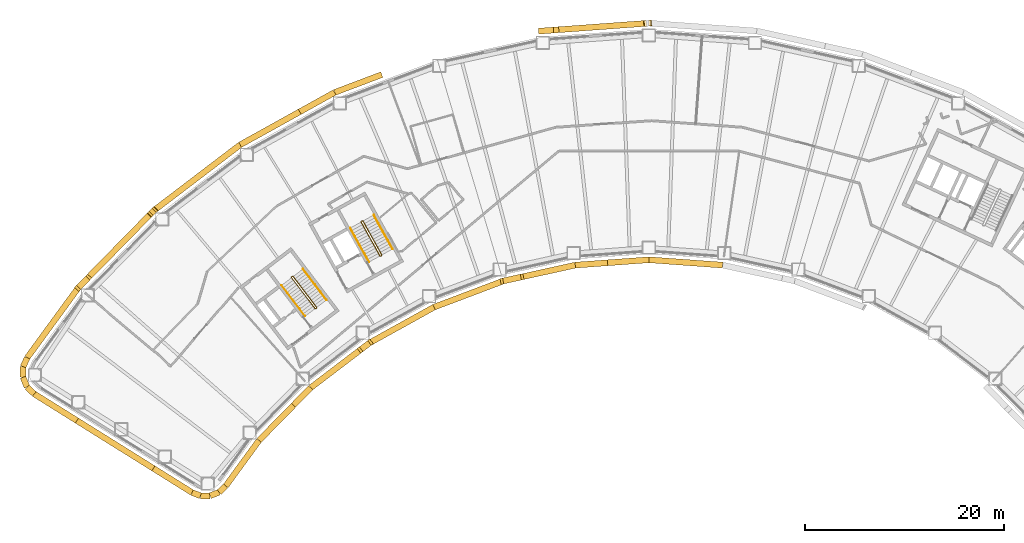
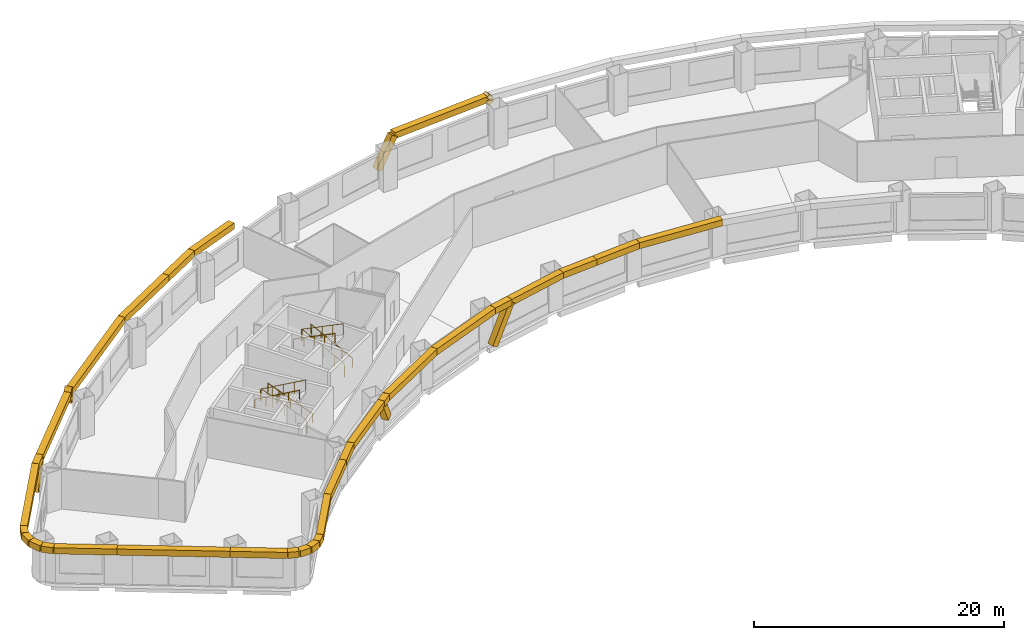
# One storey, part 10 of 11: 40 coverings, 6 railings.
"""IFC4 building model written with IfcOpenShell, lengths in metres."""

from ifc_helpers import new_model, si_unit, direction, frame, origin, origin_2d, place, context, subcontext, project, spatial, rectangle, circle, extrude, material, material_profile, profile_set, type_object, element, save


model = new_model("IFC4")

# Units and contexts
model_context = context("Model", 3, precision=1e-05, world=origin(), true_north=direction((0.0, 1.0)))
body_context = subcontext(model_context, "Body", "Model", "MODEL_VIEW")
ifc_project = project(units=[si_unit("LENGTHUNIT", "METRE"), si_unit("AREAUNIT", "SQUARE_METRE"), si_unit("VOLUMEUNIT", "CUBIC_METRE"), si_unit("PLANEANGLEUNIT", "RADIAN"), si_unit("MASSUNIT", "GRAM", prefix="KILO")], contexts=[model_context])

# Site, building, storey
site_placement = place(None, origin())
site = spatial("IfcSite", under=ifc_project, at=site_placement, CompositionType="ELEMENT")
building_placement = place(site_placement, origin())
building = spatial("IfcBuilding", under=site, at=building_placement, Name="Tuul Gate Civic Tower", CompositionType="ELEMENT")
storey_placement = place(building_placement, frame((0.0, 0.0, 52.5)))
storey = spatial("IfcBuildingStorey", under=building, at=storey_placement, Name="Level 11", CompositionType="ELEMENT", Elevation=52.5)

# Railings
ifc_material_1 = material(Name="Painted steel", Category="steel")
railing_type_1 = type_object("IfcRailingType", Name="Stair guard", PredefinedType="GUARDRAIL", material=ifc_material_1)
railing_1_placement = place(storey_placement, frame((-33.382080078125, -13.515380859375, 0.0)))
element("IfcRailing", 1, at=railing_1_placement, inside=storey, type_object=railing_type_1, Name="Level 11 ST-1 stair guard 1", PredefinedType="GUARDRAIL", context=body_context, shape_type="SweptSolid", body=[
    extrude(circle(Radius=0.02392578125, at=origin_2d()), frame((0.0, 0.0, 1.076171875), z_axis=(-0.795879841968, -0.605454603706, 0.0), x_axis=(0.605454603706, -0.795879841968, 0.0)), (0.0, 0.0, 1.0), 0.10009765625),
    extrude(circle(Radius=0.02392578125, at=origin_2d()), frame((-0.07958984375, -0.060546875, 1.076171875), z_axis=(0.408991890351, 0.599481263939, 0.688002796371), x_axis=(-0.826063974707, 0.563576356576, 0.0)), (0.0, 0.0, 1.0), 0.2177734375),
    extrude(circle(Radius=0.02392578125, at=origin_2d()), frame((0.009521484375, 0.070068359375, 1.22607421875), z_axis=(-0.541810893183, 0.711627203922, 0.44724454012), x_axis=(-0.795637165283, -0.60577347352, 0.0)), (0.0, 0.0, 1.0), 4.3603515625),
    extrude(circle(Radius=0.02392578125, at=origin_2d()), frame((-2.35302734375, 3.173095703125, 3.17626953125), z_axis=(-0.990893089246, 0.134650977284, 0.0), x_axis=(-0.134650977284, -0.990893089246, 0.0)), (0.0, 0.0, 1.0), 0.07080078125),
    extrude(circle(Radius=0.02392578125, at=origin_2d()), frame((-2.423095703125, 3.1826171875, 3.17626953125), z_axis=(-0.793802879778, -0.60817512943, 0.0), x_axis=(0.60817512943, -0.793802879778, 0.0)), (0.0, 0.0, 1.0), 0.099853515625),
    extrude(circle(Radius=0.02392578125, at=origin_2d()), frame((-2.50244140625, 3.121826171875, 3.17626953125), z_axis=(-0.057447065493, -0.422751481959, 0.904423031091), x_axis=(0.990893089246, -0.134650977284, 0.0)), (0.0, 0.0, 1.0), 0.165771484375),
    extrude(circle(Radius=0.02392578125, at=origin_2d()), frame((-2.511962890625, 3.0517578125, 3.326171875), z_axis=(0.541806494602, -0.71163897684, 0.447231136047), x_axis=(0.795644365679, 0.605764016233, 0.0)), (0.0, 0.0, 1.0), 4.360107421875),
    extrude(circle(Radius=0.02099609375, at=origin_2d()), origin(), (0.0, 0.0, 1.0), 1.052001953125),
    extrude(circle(Radius=0.02099609375, at=origin_2d()), frame((-0.07958984375, -0.060546875, 0.0)), (0.0, 0.0, 1.0), 1.052001953125),
    extrude(circle(Radius=0.02099609375, at=origin_2d()), frame((0.009521484375, 0.070068359375, 0.14990234375)), (0.0, 0.0, 1.0), 1.052001953125),
    extrude(circle(Radius=0.02099609375, at=origin_2d()), frame((-0.5810546875, 0.845703125, 0.637451171875)), (0.0, 0.0, 1.0), 1.052001953125),
    extrude(circle(Radius=0.02099609375, at=origin_2d()), frame((-1.171875, 1.62158203125, 1.125)), (0.0, 0.0, 1.0), 1.052001953125),
    extrude(circle(Radius=0.02099609375, at=origin_2d()), frame((-1.762451171875, 2.3974609375, 1.612548828125)), (0.0, 0.0, 1.0), 1.052001953125),
    extrude(circle(Radius=0.02099609375, at=origin_2d()), frame((-2.35302734375, 3.173095703125, 2.10009765625)), (0.0, 0.0, 1.0), 1.052001953125),
    extrude(circle(Radius=0.02099609375, at=origin_2d()), frame((-2.423095703125, 3.1826171875, 2.10009765625)), (0.0, 0.0, 1.0), 1.052001953125),
    extrude(circle(Radius=0.02099609375, at=origin_2d()), frame((-2.50244140625, 3.121826171875, 2.10009765625)), (0.0, 0.0, 1.0), 1.052001953125),
    extrude(circle(Radius=0.02099609375, at=origin_2d()), frame((-2.511962890625, 3.0517578125, 2.25)), (0.0, 0.0, 1.0), 1.052001953125),
    extrude(circle(Radius=0.02099609375, at=origin_2d()), frame((-1.92138671875, 2.276123046875, 2.737548828125)), (0.0, 0.0, 1.0), 1.052001953125),
    extrude(circle(Radius=0.02099609375, at=origin_2d()), frame((-1.330810546875, 1.50048828125, 3.22509765625)), (0.0, 0.0, 1.0), 1.052001953125),
    extrude(circle(Radius=0.02099609375, at=origin_2d()), frame((-0.740234375, 0.724609375, 3.71240234375)), (0.0, 0.0, 1.0), 1.052001953125),
    extrude(circle(Radius=0.02099609375, at=origin_2d()), frame((-0.149658203125, -0.051025390625, 4.199951171875)), (0.0, 0.0, 1.0), 1.052001953125),
])
railing_2_placement = place(storey_placement, frame((-26.857666015625, -8.247314453125, 0.0)))
element("IfcRailing", 2, at=railing_2_placement, inside=storey, type_object=railing_type_1, Name="Level 11 ST-2 stair guard 1", PredefinedType="GUARDRAIL", context=body_context, shape_type="SweptSolid", body=[
    extrude(circle(Radius=0.02392578125, at=origin_2d()), frame((0.0, 0.0, 1.076171875), z_axis=(-0.874616555828, -0.48481530532, 0.0), x_axis=(0.48481530532, -0.874616555828, 0.0)), (0.0, 0.0, 1.0), 0.10009765625),
    extrude(circle(Radius=0.02392578125, at=origin_2d()), frame((-0.087646484375, -0.048583984375, 1.076171875), z_axis=(0.49081399482, 0.534516610797, 0.688036056665), x_axis=(-0.736576986774, 0.676353711126, 0.0)), (0.0, 0.0, 1.0), 0.2177734375),
    extrude(circle(Radius=0.02392578125, at=origin_2d()), frame((0.019287109375, 0.06787109375, 1.22607421875), z_axis=(-0.433539057192, 0.782307594871, 0.447256875739), x_axis=(-0.874667644053, -0.484723129681, 0.0)), (0.0, 0.0, 1.0), 4.3603515625),
    extrude(circle(Radius=0.02392578125, at=origin_2d()), frame((-1.87109375, 3.47900390625, 3.17626953125), z_axis=(-0.961263487578, 0.275631107549, 0.0), x_axis=(-0.275631107549, -0.961263487578, 0.0)), (0.0, 0.0, 1.0), 0.07080078125),
    extrude(circle(Radius=0.02392578125, at=origin_2d()), frame((-1.939208984375, 3.49853515625, 3.17626953125), z_axis=(-0.874042088414, -0.485850211157, 0.0), x_axis=(0.485850211157, -0.874042088414, 0.0)), (0.0, 0.0, 1.0), 0.10009765625),
    extrude(circle(Radius=0.02392578125, at=origin_2d()), frame((-2.026611328125, 3.449951171875, 3.17626953125), z_axis=(-0.117866478395, -0.409586012422, 0.90462522168), x_axis=(0.961000426733, -0.276546885391, 0.0)), (0.0, 0.0, 1.0), 0.165771484375),
    extrude(circle(Radius=0.02392578125, at=origin_2d()), frame((-2.046142578125, 3.382080078125, 3.326171875), z_axis=(0.433595379963, -0.782308193291, 0.447201226726), x_axis=(0.874641102302, 0.484771020343, 0.0)), (0.0, 0.0, 1.0), 4.3603515625),
    extrude(circle(Radius=0.02099609375, at=origin_2d()), origin(), (0.0, 0.0, 1.0), 1.052001953125),
    extrude(circle(Radius=0.02099609375, at=origin_2d()), frame((-0.087646484375, -0.048583984375, 0.0)), (0.0, 0.0, 1.0), 1.052001953125),
    extrude(circle(Radius=0.02099609375, at=origin_2d()), frame((0.019287109375, 0.06787109375, 0.14990234375)), (0.0, 0.0, 1.0), 1.052001953125),
    extrude(circle(Radius=0.02099609375, at=origin_2d()), frame((-0.453369140625, 0.920654296875, 0.637451171875)), (0.0, 0.0, 1.0), 1.052001953125),
    extrude(circle(Radius=0.02099609375, at=origin_2d()), frame((-0.92578125, 1.7734375, 1.125)), (0.0, 0.0, 1.0), 1.052001953125),
    extrude(circle(Radius=0.02099609375, at=origin_2d()), frame((-1.3984375, 2.626220703125, 1.612548828125)), (0.0, 0.0, 1.0), 1.052001953125),
    extrude(circle(Radius=0.02099609375, at=origin_2d()), frame((-1.87109375, 3.47900390625, 2.10009765625)), (0.0, 0.0, 1.0), 1.052001953125),
    extrude(circle(Radius=0.02099609375, at=origin_2d()), frame((-1.939208984375, 3.49853515625, 2.10009765625)), (0.0, 0.0, 1.0), 1.052001953125),
    extrude(circle(Radius=0.02099609375, at=origin_2d()), frame((-2.026611328125, 3.449951171875, 2.10009765625)), (0.0, 0.0, 1.0), 1.052001953125),
    extrude(circle(Radius=0.02099609375, at=origin_2d()), frame((-2.046142578125, 3.382080078125, 2.25)), (0.0, 0.0, 1.0), 1.052001953125),
    extrude(circle(Radius=0.02099609375, at=origin_2d()), frame((-1.573486328125, 2.529296875, 2.737548828125)), (0.0, 0.0, 1.0), 1.052001953125),
    extrude(circle(Radius=0.02099609375, at=origin_2d()), frame((-1.100830078125, 1.676513671875, 3.22509765625)), (0.0, 0.0, 1.0), 1.052001953125),
    extrude(circle(Radius=0.02099609375, at=origin_2d()), frame((-0.628173828125, 0.82373046875, 3.71240234375)), (0.0, 0.0, 1.0), 1.052001953125),
    extrude(circle(Radius=0.02099609375, at=origin_2d()), frame((-0.155517578125, -0.029052734375, 4.199951171875)), (0.0, 0.0, 1.0), 1.052001953125),
])
ifc_material_2 = material(Name="Painted steel", Category="steel")
railing_type_2 = type_object("IfcRailingType", Name="Stair handrail", PredefinedType="HANDRAIL", material=ifc_material_2)
railing_3_placement = place(storey_placement, frame((-32.3779296875, -12.688232421875, 0.14990234375)))
element("IfcRailing", 3, at=railing_3_placement, inside=storey, type_object=railing_type_2, Name="Level 11 ST-1 stair handrail 1", PredefinedType="HANDRAIL", context=body_context, shape_type="SweptSolid", body=[
    extrude(circle(Radius=0.02392578125, at=origin_2d()), frame((0.0, 0.0, 0.8759765625), z_axis=(-0.541810893183, 0.711627203922, 0.44724454012), x_axis=(-0.795637165283, -0.60577347352, 0.0)), (0.0, 0.0, 1.0), 4.3603515625),
    extrude(circle(Radius=0.02099609375, at=origin_2d()), origin(), (0.0, 0.0, 1.0), 0.851806640625),
    extrude(circle(Radius=0.02099609375, at=origin_2d()), frame((-0.590576171875, 0.77587890625, 0.487548828125)), (0.0, 0.0, 1.0), 0.851806640625),
    extrude(circle(Radius=0.02099609375, at=origin_2d()), frame((-1.18115234375, 1.551513671875, 0.97509765625)), (0.0, 0.0, 1.0), 0.851806640625),
    extrude(circle(Radius=0.02099609375, at=origin_2d()), frame((-1.77197265625, 2.3271484375, 1.462646484375)), (0.0, 0.0, 1.0), 0.851806640625),
    extrude(circle(Radius=0.02099609375, at=origin_2d()), frame((-2.362548828125, 3.10302734375, 1.9501953125)), (0.0, 0.0, 1.0), 0.851806640625),
])
railing_4_placement = place(storey_placement, frame((-36.888671875, -11.220703125, 2.25)))
element("IfcRailing", 4, at=railing_4_placement, inside=storey, type_object=railing_type_2, Name="Level 11 ST-1 stair handrail 2", PredefinedType="HANDRAIL", context=body_context, shape_type="SweptSolid", body=[
    extrude(circle(Radius=0.02392578125, at=origin_2d()), frame((0.0, 0.0, 0.8759765625), z_axis=(0.541824460341, -0.711645023348, 0.447199748346), x_axis=(0.795637165283, 0.60577347352, 0.0)), (0.0, 0.0, 1.0), 4.3603515625),
    extrude(circle(Radius=0.02099609375, at=origin_2d()), origin(), (0.0, 0.0, 1.0), 0.851806640625),
    extrude(circle(Radius=0.02099609375, at=origin_2d()), frame((0.590576171875, -0.77587890625, 0.487548828125)), (0.0, 0.0, 1.0), 0.851806640625),
    extrude(circle(Radius=0.02099609375, at=origin_2d()), frame((1.18115234375, -1.551513671875, 0.97509765625)), (0.0, 0.0, 1.0), 0.851806640625),
    extrude(circle(Radius=0.02099609375, at=origin_2d()), frame((1.77197265625, -2.3271484375, 1.46240234375)), (0.0, 0.0, 1.0), 0.851806640625),
    extrude(circle(Radius=0.02099609375, at=origin_2d()), frame((2.362548828125, -3.10302734375, 1.949951171875)), (0.0, 0.0, 1.0), 0.851806640625),
])
railing_5_placement = place(storey_placement, frame((-25.744873046875, -7.573486328125, 0.14990234375)))
element("IfcRailing", 5, at=railing_5_placement, inside=storey, type_object=railing_type_2, Name="Level 11 ST-2 stair handrail 1", PredefinedType="HANDRAIL", context=body_context, shape_type="SweptSolid", body=[
    extrude(circle(Radius=0.02392578125, at=origin_2d()), frame((0.0, 0.0, 0.8759765625), z_axis=(-0.433584522764, 0.782288604346, 0.447246018574), x_axis=(-0.874641102302, -0.484771020343, 0.0)), (0.0, 0.0, 1.0), 4.3603515625),
    extrude(circle(Radius=0.02099609375, at=origin_2d()), origin(), (0.0, 0.0, 1.0), 0.851806640625),
    extrude(circle(Radius=0.02099609375, at=origin_2d()), frame((-0.47265625, 0.852783203125, 0.487548828125)), (0.0, 0.0, 1.0), 0.851806640625),
    extrude(circle(Radius=0.02099609375, at=origin_2d()), frame((-0.9453125, 1.70556640625, 0.97509765625)), (0.0, 0.0, 1.0), 0.851806640625),
    extrude(circle(Radius=0.02099609375, at=origin_2d()), frame((-1.41796875, 2.558349609375, 1.462646484375)), (0.0, 0.0, 1.0), 0.851806640625),
    extrude(circle(Radius=0.02099609375, at=origin_2d()), frame((-1.890625, 3.4111328125, 1.9501953125)), (0.0, 0.0, 1.0), 0.851806640625),
])
railing_6_placement = place(storey_placement, frame((-29.9970703125, -5.47119140625, 2.25)))
element("IfcRailing", 6, at=railing_6_placement, inside=storey, type_object=railing_type_2, Name="Level 11 ST-2 stair handrail 2", PredefinedType="HANDRAIL", context=body_context, shape_type="SweptSolid", body=[
    extrude(circle(Radius=0.02392578125, at=origin_2d()), frame((0.0, 0.0, 0.8759765625), z_axis=(0.433595379963, -0.782308193291, 0.447201226726), x_axis=(0.874641102302, 0.484771020343, 0.0)), (0.0, 0.0, 1.0), 4.3603515625),
    extrude(circle(Radius=0.02099609375, at=origin_2d()), origin(), (0.0, 0.0, 1.0), 0.851806640625),
    extrude(circle(Radius=0.02099609375, at=origin_2d()), frame((0.47265625, -0.852783203125, 0.487548828125)), (0.0, 0.0, 1.0), 0.851806640625),
    extrude(circle(Radius=0.02099609375, at=origin_2d()), frame((0.9453125, -1.70556640625, 0.97509765625)), (0.0, 0.0, 1.0), 0.851806640625),
    extrude(circle(Radius=0.02099609375, at=origin_2d()), frame((1.41796875, -2.558349609375, 1.46240234375)), (0.0, 0.0, 1.0), 0.851806640625),
    extrude(circle(Radius=0.02099609375, at=origin_2d()), frame((1.890625, -3.4111328125, 1.949951171875)), (0.0, 0.0, 1.0), 0.851806640625),
])

# Coverings
ifc_material_3 = material(Name="Terracotta baguette", Category="masonry")
ifc_material_profile = material_profile(ifc_material_3, rectangle(XDim=0.60009765625, YDim=0.60009765625, at=origin_2d()), Name="Terracotta baguette screen frame")
ifc_profile_set = profile_set([ifc_material_profile], Name="Terracotta baguette")
covering_type = type_object("IfcCoveringType", Name="Terracotta baguette screen frame", PredefinedType="CLADDING", material=ifc_profile_set)
covering_1_placement = place(storey_placement, frame((0.0, 15.10205078125, 4.099609375), z_axis=(-0.731874955369, -0.053178925004, -0.679360766927), x_axis=(0.072470160291, -0.997370581012, 0.0)))
element("IfcCovering", 7, at=covering_1_placement, inside=storey, type_object=covering_type, Name="Baguette 72", PredefinedType="CLADDING", context=body_context, shape_type="SweptSolid", body=[
    extrude(rectangle(XDim=0.60009765625, YDim=0.60009765625, at=origin_2d()), origin(), (0.0, 0.0, 1.0), 0.3671875),
])
covering_2_placement = place(storey_placement, frame((-0.268798828125, 15.08251953125, 3.85009765625), z_axis=(0.473946957273, 0.034437562745, -0.879879728124), x_axis=(-0.072470160291, 0.997370581012, 0.0)))
element("IfcCovering", 8, at=covering_2_placement, inside=storey, type_object=covering_type, Name="Baguette 76", PredefinedType="CLADDING", context=body_context, shape_type="SweptSolid", body=[
    extrude(rectangle(XDim=0.60009765625, YDim=0.60009765625, at=origin_2d()), origin(), (0.0, 0.0, 1.0), 0.567138671875),
])
covering_3_placement = place(storey_placement, frame((-0.268798828125, 15.08251953125, 3.85009765625), z_axis=(-0.997386201486, -0.072254862018, 0.0), x_axis=(0.072254862018, -0.997386201486, 0.0)))
element("IfcCovering", 9, at=covering_3_placement, inside=storey, type_object=covering_type, Name="Baguette 78", PredefinedType="CLADDING", context=body_context, shape_type="SweptSolid", body=[
    extrude(rectangle(XDim=0.60009765625, YDim=0.60009765625, at=origin_2d()), origin(), (0.0, 0.0, 1.0), 9.072265625),
])
covering_4_placement = place(storey_placement, frame((-9.3173828125, 14.427001953125, 3.85009765625), z_axis=(-0.473990641609, -0.034290320545, -0.879861946889), x_axis=(0.072155305808, -0.997393408763, 0.0)))
element("IfcCovering", 10, at=covering_4_placement, inside=storey, type_object=covering_type, Name="Baguette 83", PredefinedType="CLADDING", context=body_context, shape_type="SweptSolid", body=[
    extrude(rectangle(XDim=0.60009765625, YDim=0.60009765625, at=origin_2d()), origin(), (0.0, 0.0, 1.0), 3.175537109375),
])
covering_5_placement = place(storey_placement, frame((-26.830078125, 9.93603515625, 3.85009765625), z_axis=(-0.935377183331, -0.353651699988, 0.0), x_axis=(0.353651699988, -0.935377183331, 0.0)))
element("IfcCovering", 11, at=covering_5_placement, inside=storey, type_object=covering_type, Name="Baguette 99", PredefinedType="CLADDING", context=body_context, shape_type="SweptSolid", body=[
    extrude(rectangle(XDim=0.60009765625, YDim=0.60009765625, at=origin_2d()), origin(), (0.0, 0.0, 1.0), 5.06640625),
])
covering_6_placement = place(storey_placement, frame((-31.569091796875, 8.144287109375, 3.85009765625), z_axis=(-0.874631167379, -0.484788944851, 0.0), x_axis=(0.484788944851, -0.874631167379, 0.0)))
element("IfcCovering", 12, at=covering_6_placement, inside=storey, type_object=covering_type, Name="Baguette 100", PredefinedType="CLADDING", context=body_context, shape_type="SweptSolid", body=[
    extrude(rectangle(XDim=0.60009765625, YDim=0.60009765625, at=origin_2d()), origin(), (0.0, 0.0, 1.0), 4.006103515625),
])
covering_7_placement = place(storey_placement, frame((-49.693603515625, -3.690185546875, 4.264892578125), z_axis=(-0.51373099868, -0.524125555851, -0.679244332107), x_axis=(0.714152927454, -0.699989711502, 0.0)))
element("IfcCovering", 13, at=covering_7_placement, inside=storey, type_object=covering_type, Name="Baguette 114", PredefinedType="CLADDING", context=body_context, shape_type="SweptSolid", body=[
    extrude(rectangle(XDim=0.60009765625, YDim=0.60009765625, at=origin_2d()), origin(), (0.0, 0.0, 1.0), 0.610595703125),
])
covering_8_placement = place(storey_placement, frame((-50.00732421875, -4.01025390625, 3.85009765625), z_axis=(0.332563061246, 0.339291963653, -0.879933391624), x_axis=(-0.714152927454, 0.699989711502, 0.0)))
element("IfcCovering", 14, at=covering_8_placement, inside=storey, type_object=covering_type, Name="Baguette 118", PredefinedType="CLADDING", context=body_context, shape_type="SweptSolid", body=[
    extrude(rectangle(XDim=0.60009765625, YDim=0.60009765625, at=origin_2d()), origin(), (0.0, 0.0, 1.0), 0.943359375),
])
covering_9_placement = place(storey_placement, frame((-50.00732421875, -4.01025390625, 3.85009765625), z_axis=(-0.69999391998, -0.714148802415, 0.0), x_axis=(0.714148802415, -0.69999391998, 0.0)))
element("IfcCovering", 15, at=covering_9_placement, inside=storey, type_object=covering_type, Name="Baguette 120", PredefinedType="CLADDING", context=body_context, shape_type="SweptSolid", body=[
    extrude(rectangle(XDim=0.60009765625, YDim=0.60009765625, at=origin_2d()), origin(), (0.0, 0.0, 1.0), 9.072265625),
])
covering_10_placement = place(storey_placement, frame((-56.35791015625, -10.4892578125, 3.85009765625), z_axis=(-0.332611284769, -0.339322780819, -0.879903280856), x_axis=(0.714133971277, -0.700009050705, 0.0)))
element("IfcCovering", 16, at=covering_10_placement, inside=storey, type_object=covering_type, Name="Baguette 125", PredefinedType="CLADDING", context=body_context, shape_type="SweptSolid", body=[
    extrude(rectangle(XDim=0.60009765625, YDim=0.60009765625, at=origin_2d()), origin(), (0.0, 0.0, 1.0), 2.801025390625),
])
covering_11_placement = place(storey_placement, frame((-57.4453125, -24.811767578125, 3.85009765625), z_axis=(0.848058898511, -0.529901976461, 0.0), x_axis=(0.529901976461, 0.848058898511, 0.0)))
element("IfcCovering", 17, at=covering_11_placement, inside=storey, type_object=covering_type, Name="Baguette 152", PredefinedType="CLADDING", context=body_context, shape_type="SweptSolid", body=[
    extrude(rectangle(XDim=0.60009765625, YDim=0.60009765625, at=origin_2d()), origin(), (0.0, 0.0, 1.0), 9.05322265625),
])
covering_12_placement = place(storey_placement, frame((-35.70751953125, -23.27880859375, 3.85009765625), z_axis=(0.70003698075, 0.714106592591, 0.0), x_axis=(-0.714106592591, 0.70003698075, 0.0)))
element("IfcCovering", 18, at=covering_12_placement, inside=storey, type_object=covering_type, Name="Baguette 184", PredefinedType="CLADDING", context=body_context, shape_type="SweptSolid", body=[
    extrude(rectangle(XDim=0.60009765625, YDim=0.60009765625, at=origin_2d()), origin(), (0.0, 0.0, 1.0), 2.4814453125),
])
covering_13_placement = place(storey_placement, frame((-33.970458984375, -21.5068359375, 3.85009765625), z_axis=(0.795582127789, 0.60584575425, 0.0), x_axis=(-0.60584575425, 0.795582127789, 0.0)))
element("IfcCovering", 19, at=covering_13_placement, inside=storey, type_object=covering_type, Name="Baguette 185", PredefinedType="CLADDING", context=body_context, shape_type="SweptSolid", body=[
    extrude(rectangle(XDim=0.60009765625, YDim=0.60009765625, at=origin_2d()), origin(), (0.0, 0.0, 1.0), 6.37060546875),
])
covering_14_placement = place(storey_placement, frame((-28.902099609375, -17.647216796875, 3.85009765625), z_axis=(0.37085661759, 0.282407368625, -0.884709809675), x_axis=(-0.605839521282, 0.795586874234, 0.0)))
element("IfcCovering", 20, at=covering_14_placement, inside=storey, type_object=covering_type, Name="Baguette 190", PredefinedType="CLADDING", context=body_context, shape_type="SweptSolid", body=[
    extrude(rectangle(XDim=0.60009765625, YDim=0.60009765625, at=origin_2d()), origin(), (0.0, 0.0, 1.0), 2.246826171875),
])
covering_15_placement = place(storey_placement, frame((-12.864501953125, -10.40087890625, 3.85009765625), z_axis=(-0.455228552441, -0.100321546982, -0.884704782542), x_axis=(0.215212210255, -0.976567306721, 0.0)))
element("IfcCovering", 21, at=covering_15_placement, inside=storey, type_object=covering_type, Name="Baguette 208", PredefinedType="CLADDING", context=body_context, shape_type="SweptSolid", body=[
    extrude(rectangle(XDim=0.60009765625, YDim=0.60009765625, at=origin_2d()), origin(), (0.0, 0.0, 1.0), 3.906005859375),
])
covering_16_placement = place(storey_placement, frame((-12.864501953125, -10.40087890625, 3.85009765625), z_axis=(0.976556146559, 0.21526284542, 0.0), x_axis=(-0.21526284542, 0.976556146559, 0.0)))
element("IfcCovering", 22, at=covering_16_placement, inside=storey, type_object=covering_type, Name="Baguette 210", PredefinedType="CLADDING", context=body_context, shape_type="SweptSolid", body=[
    extrude(rectangle(XDim=0.60009765625, YDim=0.60009765625, at=origin_2d()), origin(), (0.0, 0.0, 1.0), 5.596923828125),
])
covering_17_placement = place(storey_placement, frame((-7.398681640625, -9.196044921875, 3.85009765625), z_axis=(0.997393564609, 0.072153151538, 0.0), x_axis=(-0.072153151538, 0.997393564609, 0.0)))
element("IfcCovering", 23, at=covering_17_placement, inside=storey, type_object=covering_type, Name="Baguette 211", PredefinedType="CLADDING", context=body_context, shape_type="SweptSolid", body=[
    extrude(rectangle(XDim=0.60009765625, YDim=0.60009765625, at=origin_2d()), origin(), (0.0, 0.0, 1.0), 3.255126953125),
])
covering_18_placement = place(storey_placement, frame((-35.072998046875, 6.2021484375, 3.85009765625), z_axis=(-0.874624559601, -0.484800866071, 0.0), x_axis=(0.484800866071, -0.874624559601, 0.0)))
element("IfcCovering", 24, at=covering_18_placement, inside=storey, type_object=covering_type, Name="Baguette 308", PredefinedType="CLADDING", context=body_context, shape_type="SweptSolid", body=[
    extrude(rectangle(XDim=0.60009765625, YDim=0.60009765625, at=origin_2d()), origin(), (0.0, 0.0, 1.0), 6.84521484375),
])
covering_19_placement = place(storey_placement, frame((-41.06005859375, 2.883544921875, 3.85009765625), z_axis=(-0.795618643442, -0.605797799771, 0.0), x_axis=(0.605797799771, -0.795618643442, 0.0)))
element("IfcCovering", 25, at=covering_19_placement, inside=storey, type_object=covering_type, Name="Baguette 309", PredefinedType="CLADDING", context=body_context, shape_type="SweptSolid", body=[
    extrude(rectangle(XDim=0.60009765625, YDim=0.60009765625, at=origin_2d()), origin(), (0.0, 0.0, 1.0), 10.851318359375),
])
covering_20_placement = place(storey_placement, frame((-49.693603515625, -3.690185546875, 3.85009765625), z_axis=(-0.699989711502, -0.714152927454, 0.0), x_axis=(0.714152927454, -0.699989711502, 0.0)))
element("IfcCovering", 26, at=covering_20_placement, inside=storey, type_object=covering_type, Name="Baguette 310", PredefinedType="CLADDING", context=body_context, shape_type="SweptSolid", body=[
    extrude(rectangle(XDim=0.60009765625, YDim=0.60009765625, at=origin_2d()), origin(), (0.0, 0.0, 1.0), 0.4482421875),
])
covering_21_placement = place(storey_placement, frame((-56.35791015625, -10.4892578125, 3.85009765625), z_axis=(-0.700009050705, -0.714133971277, 0.0), x_axis=(0.714133971277, -0.700009050705, 0.0)))
element("IfcCovering", 27, at=covering_21_placement, inside=storey, type_object=covering_type, Name="Baguette 321", PredefinedType="CLADDING", context=body_context, shape_type="SweptSolid", body=[
    extrude(rectangle(XDim=0.60009765625, YDim=0.60009765625, at=origin_2d()), origin(), (0.0, 0.0, 1.0), 1.330810546875),
])
covering_22_placement = place(storey_placement, frame((-57.28955078125, -11.439697265625, 3.85009765625), z_axis=(-0.589817537275, -0.80753654575, 0.0), x_axis=(0.80753654575, -0.589817537275, 0.0)))
element("IfcCovering", 28, at=covering_22_placement, inside=storey, type_object=covering_type, Name="Baguette 322", PredefinedType="CLADDING", context=body_context, shape_type="SweptSolid", body=[
    extrude(rectangle(XDim=0.60009765625, YDim=0.60009765625, at=origin_2d()), origin(), (0.0, 0.0, 1.0), 8.734130859375),
])
covering_23_placement = place(storey_placement, frame((-62.441162109375, -18.492919921875, 3.85009765625), z_axis=(-0.412928742672, -0.910763335601, 0.0), x_axis=(0.910763335601, -0.412928742672, 0.0)))
element("IfcCovering", 29, at=covering_23_placement, inside=storey, type_object=covering_type, Name="Baguette 323", PredefinedType="CLADDING", context=body_context, shape_type="SweptSolid", body=[
    extrude(rectangle(XDim=0.60009765625, YDim=0.60009765625, at=origin_2d()), origin(), (0.0, 0.0, 1.0), 0.9892578125),
])
covering_24_placement = place(storey_placement, frame((-62.849609375, -19.393798828125, 3.85009765625), z_axis=(-0.014650442147, -0.999892676513, 0.0), x_axis=(0.999892676513, -0.014650442147, 0.0)))
element("IfcCovering", 30, at=covering_24_placement, inside=storey, type_object=covering_type, Name="Baguette 324", PredefinedType="CLADDING", context=body_context, shape_type="SweptSolid", body=[
    extrude(rectangle(XDim=0.60009765625, YDim=0.60009765625, at=origin_2d()), origin(), (0.0, 0.0, 1.0), 1.06640625),
])
covering_25_placement = place(storey_placement, frame((-62.865234375, -20.460205078125, 3.85009765625), z_axis=(0.385784883999, -0.922588761734, 0.0), x_axis=(0.922588761734, 0.385784883999, 0.0)))
element("IfcCovering", 31, at=covering_25_placement, inside=storey, type_object=covering_type, Name="Baguette 325", PredefinedType="CLADDING", context=body_context, shape_type="SweptSolid", body=[
    extrude(rectangle(XDim=0.60009765625, YDim=0.60009765625, at=origin_2d()), origin(), (0.0, 0.0, 1.0), 1.06689453125),
])
covering_26_placement = place(storey_placement, frame((-62.45361328125, -21.444580078125, 3.85009765625), z_axis=(0.722137314744, -0.691749737011, 0.0), x_axis=(0.691749737011, 0.722137314744, 0.0)))
element("IfcCovering", 32, at=covering_26_placement, inside=storey, type_object=covering_type, Name="Baguette 326", PredefinedType="CLADDING", context=body_context, shape_type="SweptSolid", body=[
    extrude(rectangle(XDim=0.60009765625, YDim=0.60009765625, at=origin_2d()), origin(), (0.0, 0.0, 1.0), 0.98828125),
])
covering_27_placement = place(storey_placement, frame((-61.739990234375, -22.128173828125, 3.85009765625), z_axis=(0.848049759371, -0.529916602524, 0.0), x_axis=(0.529916602524, 0.848049759371, 0.0)))
element("IfcCovering", 33, at=covering_27_placement, inside=storey, type_object=covering_type, Name="Baguette 327", PredefinedType="CLADDING", context=body_context, shape_type="SweptSolid", body=[
    extrude(rectangle(XDim=0.60009765625, YDim=0.60009765625, at=origin_2d()), origin(), (0.0, 0.0, 1.0), 5.064208984375),
])
covering_28_placement = place(storey_placement, frame((-49.767578125, -29.609130859375, 3.85009765625), z_axis=(0.848046231168, -0.529922248827, 0.0), x_axis=(0.529922248827, 0.848046231168, 0.0)))
element("IfcCovering", 34, at=covering_28_placement, inside=storey, type_object=covering_type, Name="Baguette 336", PredefinedType="CLADDING", context=body_context, shape_type="SweptSolid", body=[
    extrude(rectangle(XDim=0.60009765625, YDim=0.60009765625, at=origin_2d()), origin(), (0.0, 0.0, 1.0), 4.57861328125),
])
covering_29_placement = place(storey_placement, frame((-45.884765625, -32.035400390625, 3.85009765625), z_axis=(0.93189278144, -0.362733847194, 0.0), x_axis=(0.362733847194, 0.93189278144, 0.0)))
element("IfcCovering", 35, at=covering_29_placement, inside=storey, type_object=covering_type, Name="Baguette 337", PredefinedType="CLADDING", context=body_context, shape_type="SweptSolid", body=[
    extrude(rectangle(XDim=0.60009765625, YDim=0.60009765625, at=origin_2d()), origin(), (0.0, 0.0, 1.0), 0.901123046875),
])
covering_30_placement = place(storey_placement, frame((-45.044921875, -32.3623046875, 3.85009765625), z_axis=(0.999996192163, 0.002759648297, 0.0), x_axis=(-0.002759648297, 0.999996192163, 0.0)))
element("IfcCovering", 36, at=covering_30_placement, inside=storey, type_object=covering_type, Name="Baguette 338", PredefinedType="CLADDING", context=body_context, shape_type="SweptSolid", body=[
    extrude(rectangle(XDim=0.60009765625, YDim=0.60009765625, at=origin_2d()), origin(), (0.0, 0.0, 1.0), 0.97314453125),
])
covering_31_placement = place(storey_placement, frame((-44.07177734375, -32.359619140625, 3.85009765625), z_axis=(0.929647485715, 0.36845020329, 0.0), x_axis=(-0.36845020329, 0.929647485715, 0.0)))
element("IfcCovering", 37, at=covering_31_placement, inside=storey, type_object=covering_type, Name="Baguette 339", PredefinedType="CLADDING", context=body_context, shape_type="SweptSolid", body=[
    extrude(rectangle(XDim=0.60009765625, YDim=0.60009765625, at=origin_2d()), origin(), (0.0, 0.0, 1.0), 0.97412109375),
])
covering_32_placement = place(storey_placement, frame((-43.166259765625, -32.000732421875, 3.85009765625), z_axis=(0.730001285686, 0.683445771731, 0.0), x_axis=(-0.683445771731, 0.730001285686, 0.0)))
element("IfcCovering", 38, at=covering_32_placement, inside=storey, type_object=covering_type, Name="Baguette 340", PredefinedType="CLADDING", context=body_context, shape_type="SweptSolid", body=[
    extrude(rectangle(XDim=0.60009765625, YDim=0.60009765625, at=origin_2d()), origin(), (0.0, 0.0, 1.0), 0.902099609375),
])
covering_33_placement = place(storey_placement, frame((-42.5078125, -31.38427734375, 3.85009765625), z_axis=(0.589729447422, 0.807600878432, 0.0), x_axis=(-0.807600878432, 0.589729447422, 0.0)))
element("IfcCovering", 39, at=covering_33_placement, inside=storey, type_object=covering_type, Name="Baguette 341", PredefinedType="CLADDING", context=body_context, shape_type="SweptSolid", body=[
    extrude(rectangle(XDim=0.60009765625, YDim=0.60009765625, at=origin_2d()), origin(), (0.0, 0.0, 1.0), 5.671142578125),
])
covering_34_placement = place(storey_placement, frame((-39.163330078125, -26.80419921875, 3.85009765625), z_axis=(0.700024437116, 0.71411888887, 0.0), x_axis=(-0.71411888887, 0.700024437116, 0.0)))
element("IfcCovering", 40, at=covering_34_placement, inside=storey, type_object=covering_type, Name="Baguette 342", PredefinedType="CLADDING", context=body_context, shape_type="SweptSolid", body=[
    extrude(rectangle(XDim=0.60009765625, YDim=0.60009765625, at=origin_2d()), origin(), (0.0, 0.0, 1.0), 4.936767578125),
])
covering_35_placement = place(storey_placement, frame((-28.902099609375, -17.647216796875, 3.85009765625), z_axis=(0.795586874234, 0.605839521282, 0.0), x_axis=(-0.605839521282, 0.795586874234, 0.0)))
element("IfcCovering", 41, at=covering_35_placement, inside=storey, type_object=covering_type, Name="Baguette 350", PredefinedType="CLADDING", context=body_context, shape_type="SweptSolid", body=[
    extrude(rectangle(XDim=0.60009765625, YDim=0.60009765625, at=origin_2d()), origin(), (0.0, 0.0, 1.0), 1.04736328125),
])
covering_36_placement = place(storey_placement, frame((-28.06884765625, -17.0126953125, 3.85009765625), z_axis=(0.874616400337, 0.484815585828, 0.0), x_axis=(-0.484815585828, 0.874616400337, 0.0)))
element("IfcCovering", 42, at=covering_36_placement, inside=storey, type_object=covering_type, Name="Baguette 351", PredefinedType="CLADDING", context=body_context, shape_type="SweptSolid", body=[
    extrude(rectangle(XDim=0.60009765625, YDim=0.60009765625, at=origin_2d()), origin(), (0.0, 0.0, 1.0), 7.418212890625),
])
covering_37_placement = place(storey_placement, frame((-21.580810546875, -13.416259765625, 3.85009765625), z_axis=(0.935363965038, 0.353686659217, 0.0), x_axis=(-0.353686659217, 0.935363965038, 0.0)))
element("IfcCovering", 43, at=covering_37_placement, inside=storey, type_object=covering_type, Name="Baguette 352", PredefinedType="CLADDING", context=body_context, shape_type="SweptSolid", body=[
    extrude(rectangle(XDim=0.60009765625, YDim=0.60009765625, at=origin_2d()), origin(), (0.0, 0.0, 1.0), 7.417724609375),
])
covering_38_placement = place(storey_placement, frame((-14.642578125, -10.792724609375, 3.85009765625), z_axis=(0.976567306721, 0.215212210255, 0.0), x_axis=(-0.215212210255, 0.976567306721, 0.0)))
element("IfcCovering", 44, at=covering_38_placement, inside=storey, type_object=covering_type, Name="Baguette 353", PredefinedType="CLADDING", context=body_context, shape_type="SweptSolid", body=[
    extrude(rectangle(XDim=0.60009765625, YDim=0.60009765625, at=origin_2d()), origin(), (0.0, 0.0, 1.0), 1.82080078125),
])
covering_39_placement = place(storey_placement, frame((-4.152099609375, -8.961181640625, 3.85009765625), z_axis=(0.997394895517, 0.07213475166, 0.0), x_axis=(-0.07213475166, 0.997394895517, 0.0)))
element("IfcCovering", 45, at=covering_39_placement, inside=storey, type_object=covering_type, Name="Baguette 358", PredefinedType="CLADDING", context=body_context, shape_type="SweptSolid", body=[
    extrude(rectangle(XDim=0.60009765625, YDim=0.60009765625, at=origin_2d()), origin(), (0.0, 0.0, 1.0), 4.162841796875),
])
covering_40_placement = place(storey_placement, frame((0.0, -8.660888671875, 3.85009765625), z_axis=(0.997394311548, -0.072142825637, 0.0), x_axis=(0.072142825637, 0.997394311548, 0.0)))
element("IfcCovering", 46, at=covering_40_placement, inside=storey, type_object=covering_type, Name="Baguette 359", PredefinedType="CLADDING", context=body_context, shape_type="SweptSolid", body=[
    extrude(rectangle(XDim=0.60009765625, YDim=0.60009765625, at=origin_2d()), origin(), (0.0, 0.0, 1.0), 7.41796875),
])

save(model, "model.ifc")
